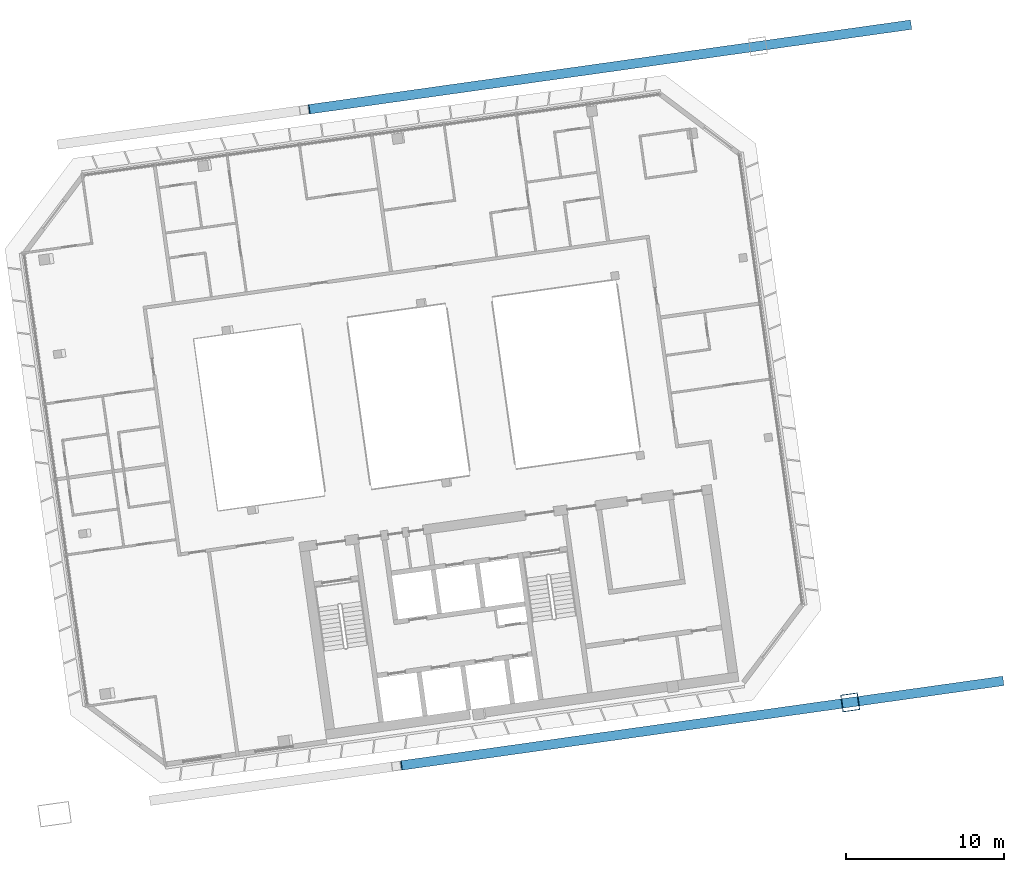
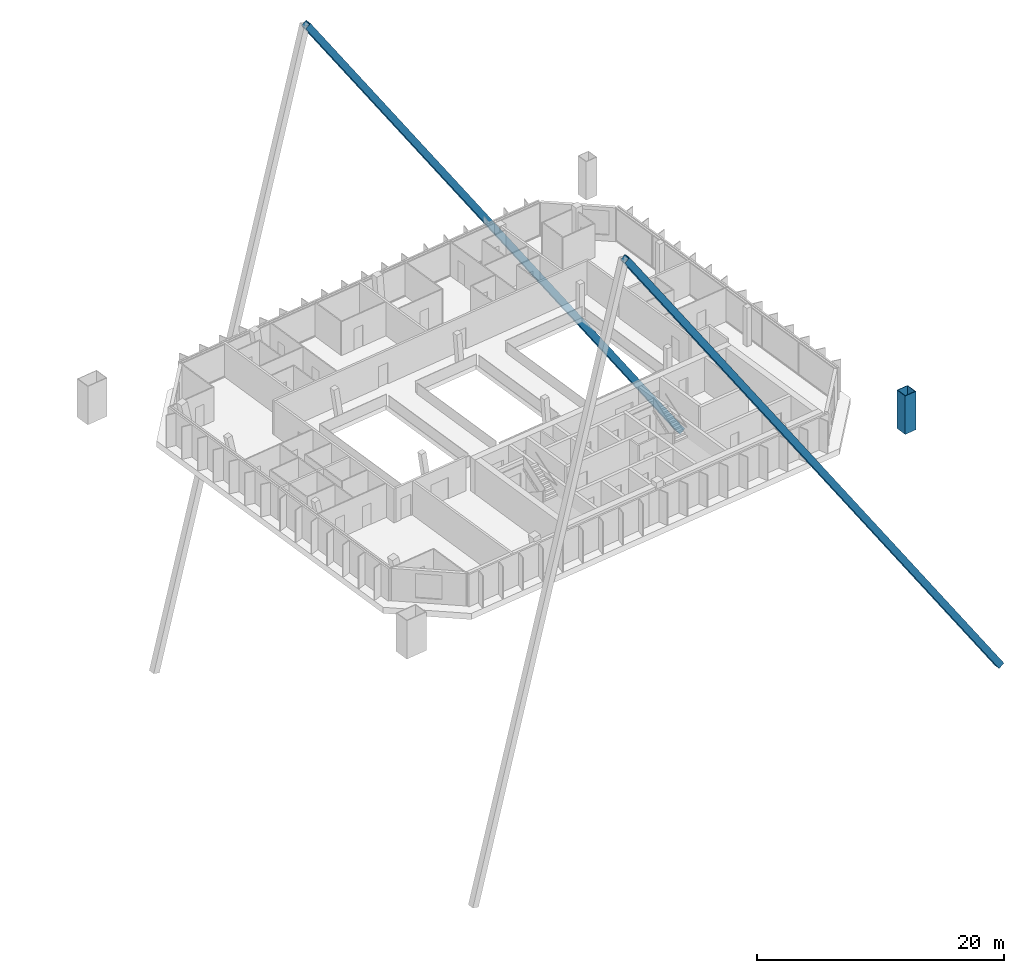
# One storey, part 16 of 28: 3 members.
"""IFC4 building model written with IfcOpenShell, lengths in metres."""

from ifc_helpers import new_model, si_unit, direction, frame, origin, origin_2d, place, context, subcontext, project, spatial, hollow_rectangle, extrude, material, material_profile, profile_set, type_object, element, save


model = new_model("IFC4")

# Units and contexts
model_context = context("Model", 3, precision=1e-05, world=origin(), true_north=direction((0.0, 1.0)))
body_context = subcontext(model_context, "Body", "Model", "MODEL_VIEW")
ifc_project = project(units=[si_unit("LENGTHUNIT", "METRE"), si_unit("AREAUNIT", "SQUARE_METRE"), si_unit("VOLUMEUNIT", "CUBIC_METRE"), si_unit("PLANEANGLEUNIT", "RADIAN"), si_unit("MASSUNIT", "GRAM", prefix="KILO")], contexts=[model_context])

# Site, building, storey
site_placement = place(None, origin())
site = spatial("IfcSite", under=ifc_project, at=site_placement, CompositionType="ELEMENT")
building_placement = place(site_placement, origin())
building = spatial("IfcBuilding", under=site, at=building_placement, Name="Mirante Cascada Hotel Towers", CompositionType="ELEMENT")
storey_placement = place(building_placement, frame((0.0, 0.0, 243.2)))
storey = spatial("IfcBuildingStorey", under=building, at=storey_placement, Name="L58", CompositionType="ELEMENT", Elevation=243.2)

# Members
ifc_material_1 = material(Name="Steel ASTM A572 Gr 50", Category="steel")
ifc_material_profile_1 = material_profile(ifc_material_1, hollow_rectangle(XDim=0.6, YDim=0.6, WallThickness=0.028, at=origin_2d()), Name="Box brace 600x600x28 ASTM A572 Gr 50")
ifc_profile_set_1 = profile_set([ifc_material_profile_1], Name="Steel ASTM A572 Gr 50")
member_type_1 = type_object("IfcMemberType", Name="Box brace 600x600x28 ASTM A572 Gr 50", PredefinedType="BRACE", material=ifc_profile_set_1)
for number, where, z_axis, x_axis, name in (
    (1, (74.1689, 25.4139, -27.3819), (-0.556237, -0.0781745, 0.8273386), (0.139174, -0.9902679, 0.0), "brace T2 L58 2"),
    (2, (80.0142, -16.1773, -27.3819), (-0.556237, -0.0781745, 0.8273386), (0.139174, -0.9902679, 0.0), "brace T2 L58 4"),
):
    element("IfcMember", number, at=place(storey_placement, frame(where, z_axis=z_axis, x_axis=x_axis)), inside=storey, type_object=member_type_1, Name=name, PredefinedType="BRACE", context=body_context, shape_type="SweptSolid", body=[
        extrude(hollow_rectangle(XDim=0.6, YDim=0.6, WallThickness=0.028, at=origin_2d()), origin(), (0.0, 0.0, 1.0), 68.5492),
    ])
ifc_material_2 = material(Name="Steel ASTM A572 Gr 50", Category="steel")
ifc_material_profile_2 = material_profile(ifc_material_2, hollow_rectangle(XDim=1.1, YDim=1.1, WallThickness=0.05, at=origin_2d()), Name="Box post 1100x1100x50 ASTM A572 Gr 50")
ifc_profile_set_2 = profile_set([ifc_material_profile_2], Name="Steel ASTM A572 Gr 50")
member_type_2 = type_object("IfcMemberType", Name="Box post 1100x1100x50 ASTM A572 Gr 50", PredefinedType="POST", material=ifc_profile_set_2)
member_placement = place(storey_placement, frame((70.5528, -17.5071, 0.0), z_axis=(0.0, 0.0, 1.0), x_axis=(0.9902681, 0.1391731, 0.0)))
element("IfcMember", 3, at=member_placement, inside=storey, type_object=member_type_2, Name="Mega column MP4 T2 L58", PredefinedType="POST", context=body_context, shape_type="SweptSolid", body=[
    extrude(hollow_rectangle(XDim=1.1, YDim=1.1, WallThickness=0.05, at=origin_2d()), origin(), (0.0, 0.0, 1.0), 3.8),
])

save(model, "model.ifc")
